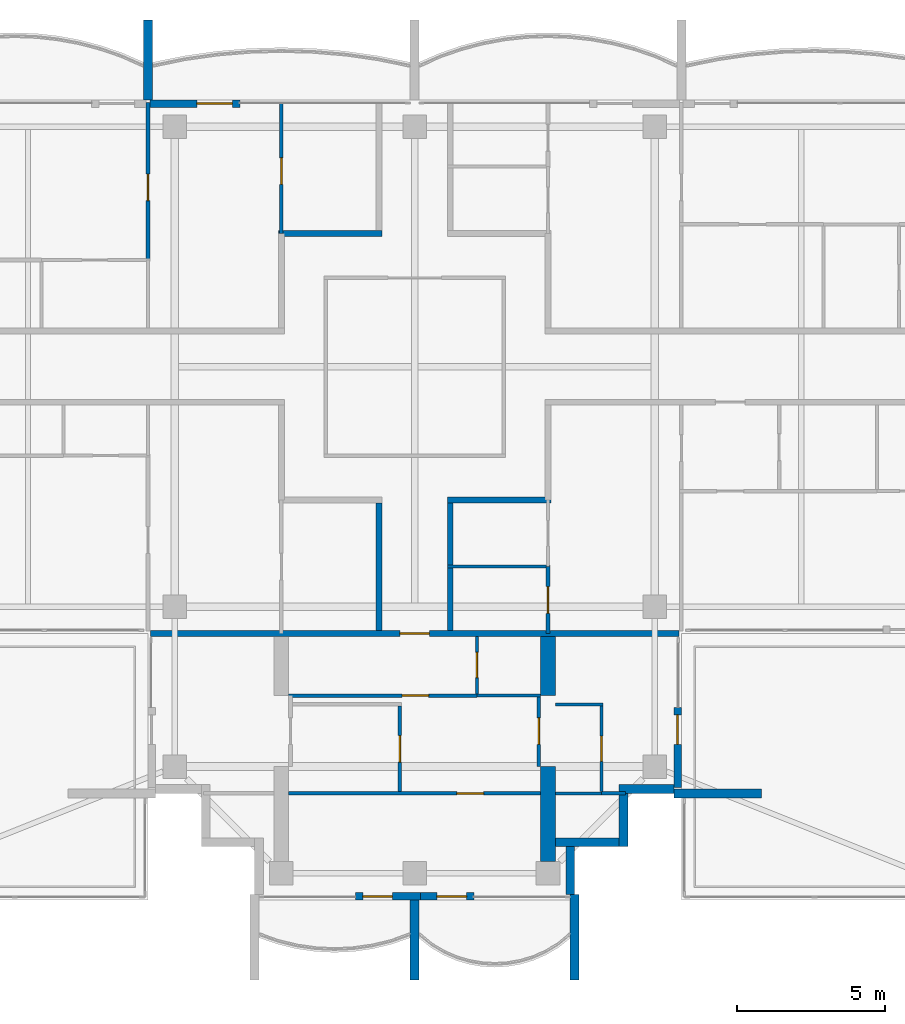
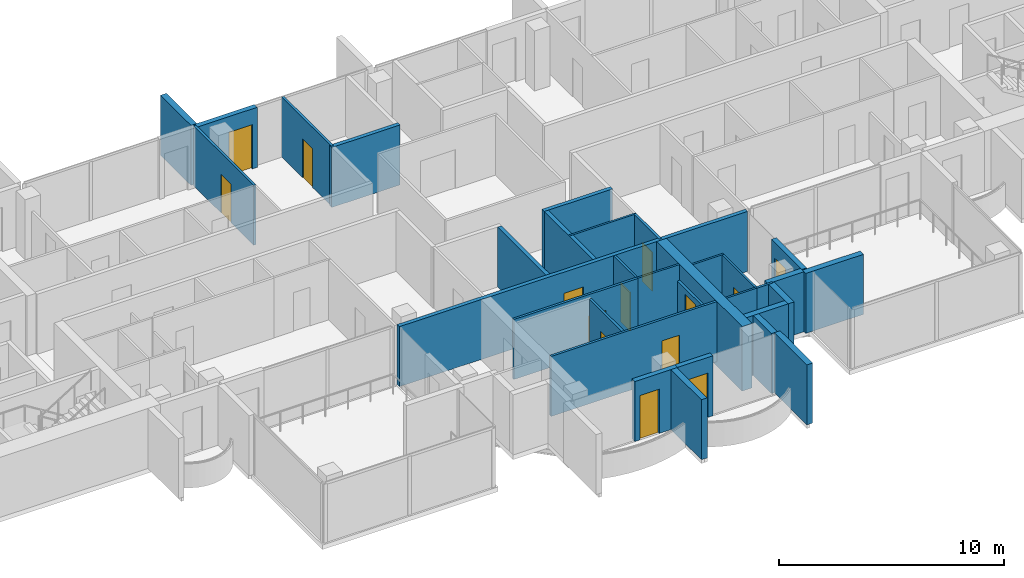
# One storey, part 9 of 16: 32 walls, 14 doors, 14 openings.
"""IFC4 building model written with IfcOpenShell, lengths in metres."""

from ifc_helpers import new_model, si_unit, direction, frame, frame_2d, origin, place, context, subcontext, project, spatial, polyline, rectangle, outline, extrude, material, layer, layer_set, material_profile, profile_set, type_object, element, fill, save


model = new_model("IFC4")

# Units and contexts
model_context = context("Model", 3, precision=1e-05, world=origin(), true_north=direction((0.0, 1.0)))
body_context = subcontext(model_context, "Body", "Model", "MODEL_VIEW")
ifc_project = project(units=[si_unit("LENGTHUNIT", "METRE"), si_unit("AREAUNIT", "SQUARE_METRE"), si_unit("VOLUMEUNIT", "CUBIC_METRE"), si_unit("PLANEANGLEUNIT", "RADIAN"), si_unit("MASSUNIT", "GRAM", prefix="KILO")], contexts=[model_context])

# Site, building, storey
site_placement = place(None, origin())
site = spatial("IfcSite", under=ifc_project, at=site_placement, CompositionType="ELEMENT")
building_placement = place(site_placement, origin())
building = spatial("IfcBuilding", under=site, at=building_placement, Name="Perihelion Cross Residences", CompositionType="ELEMENT")
storey_placement = place(building_placement, frame((0.0, 0.0, 264.0)))
storey = spatial("IfcBuildingStorey", under=building, at=storey_placement, Name="L67", CompositionType="ELEMENT", Elevation=264.0)

# Walls
ifc_material_1 = material(Name="Plasterboard partition")
ifc_layer_1 = layer(ifc_material_1, 0.199951171875)
ifc_layer_set_1 = layer_set([ifc_layer_1], Name="Apartment separation wall 200")
wall_type_1 = type_object("IfcWallType", Name="Apartment separation wall 200", PredefinedType="PARTITIONING", material=ifc_layer_set_1)
wall_1_placement = place(storey_placement, frame((4.60009765625, -4.5, 0.0), z_axis=(0.0, 0.0, 1.0), x_axis=(-1.0, 0.0, 0.0)))
element("IfcWall", 1, at=wall_1_placement, inside=storey, type_object=wall_type_1, Name="Partition L67 W011", PredefinedType="PARTITIONING", context=body_context, shape_type="SweptSolid", body=[
    extrude(rectangle(XDim=3.5, YDim=0.199951171875, at=frame_2d((1.75, 0.0))), origin(), (0.0, 0.0, 1.0), 3.25),
])
wall_2_placement = place(storey_placement, frame((1.199951171875, -4.60009765625, 0.0), z_axis=(0.0, 0.0, 1.0), x_axis=(0.0, -1.0, 0.0)))
element("IfcWall", 2, at=wall_2_placement, inside=storey, type_object=wall_type_1, Name="Partition L67 W012", PredefinedType="PARTITIONING", context=body_context, shape_type="SweptSolid", body=[
    extrude(rectangle(XDim=4.2998046875, YDim=0.199951171875, at=frame_2d((2.14990234375, 0.0))), origin(), (0.0, 0.0, 1.0), 3.25),
])
wall_3_placement = place(storey_placement, frame((-4.60009765625, 4.5, 0.0), z_axis=(0.0, 0.0, 1.0), x_axis=(1.0, 0.0, 0.0)))
element("IfcWall", 3, at=wall_3_placement, inside=storey, type_object=wall_type_1, Name="Partition L67 W015", PredefinedType="PARTITIONING", context=body_context, shape_type="SweptSolid", body=[
    extrude(rectangle(XDim=3.5, YDim=0.199951171875, at=frame_2d((1.75, 0.0))), origin(), (0.0, 0.0, 1.0), 3.25),
])
wall_4_placement = place(storey_placement, frame((-1.199951171875, -8.89990234375, 0.0), z_axis=(0.0, 0.0, 1.0), x_axis=(0.0, 1.0, 0.0)))
element("IfcWall", 4, at=wall_4_placement, inside=storey, type_object=wall_type_1, Name="Partition L67 W019", PredefinedType="PARTITIONING", context=body_context, shape_type="SweptSolid", body=[
    extrude(rectangle(XDim=4.2998046875, YDim=0.199951171875, at=frame_2d((2.14990234375, 0.0))), origin(), (0.0, 0.0, 1.0), 3.25),
])

# Wall, opening, door
wall_5_placement = place(storey_placement, frame((8.919921875, -9.0, 0.0), z_axis=(0.0, 0.0, 1.0), x_axis=(-1.0, 0.0, 0.0)))
wall_5 = element("IfcWall", 5, at=wall_5_placement, inside=storey, type_object=wall_type_1, Name="Partition L67 W021", PredefinedType="PARTITIONING", context=body_context, shape_type="SweptSolid", body=[
    extrude(rectangle(XDim=17.83984375, YDim=0.199951171875, at=frame_2d((8.919921875, 0.0))), origin(), (0.0, 0.0, 1.0), 3.25),
])
opening_1_placement = place(wall_5_placement, frame((8.419921875, 0.0, 0.0)))
opening_1 = element("IfcOpeningElement", 6, at=opening_1_placement, cuts=wall_5, Name="Opening L67.A34", PredefinedType="OPENING", context=body_context, shape_type="SweptSolid", body=[
    extrude(rectangle(XDim=1.0, YDim=2.10009765625, at=frame_2d((0.5, 1.050048828125))), frame((0.0, 0.10986328125, 0.0), z_axis=(0.0, -1.0, 0.0), x_axis=(1.0, 0.0, 0.0)), (0.0, 0.0, 1.0), 0.219970703125),
])
ifc_material_2 = material(Name="Timber door leaf", Category="wood")
door_type_1 = type_object("IfcDoorType", Name="Flat entrance door 1000 x 2100", OperationType="SINGLE_SWING_LEFT", PredefinedType="DOOR", material=ifc_material_2)
door_1_placement = place(opening_1_placement, origin())
door_1 = element("IfcDoor", 7, at=door_1_placement, inside=storey, type_object=door_type_1, Name="Door L67.A34", OperationType="SINGLE_SWING_RIGHT", OverallHeight=2.10009765625, OverallWidth=1.0, PredefinedType="DOOR", context=body_context, shape_type="SweptSolid", body=[
    extrude(rectangle(XDim=1.0, YDim=2.10009765625, at=frame_2d((0.5, 1.050048828125))), frame((0.0, 0.02490234375, 0.0), z_axis=(0.0, -1.0, 0.0), x_axis=(1.0, 0.0, 0.0)), (0.0, 0.0, 1.0), 0.050048828125),
])
fill(opening_1, door_1)

ifc_material_3 = material(Name="Concrete C30/37, bronze-clad", Category="concrete")
ifc_layer_2 = layer(ifc_material_3, 0.25)
ifc_layer_set_2 = layer_set([ifc_layer_2], Name="Bronze-clad pier wall 250")
wall_type_2 = type_object("IfcWallType", Name="Bronze-clad pier wall 250", PredefinedType="SOLIDWALL", material=ifc_layer_set_2)
wall_6_placement = place(storey_placement, frame((-5.89990234375, 8.875, 0.0), z_axis=(0.0, 0.0, 1.0), x_axis=(-1.0, 0.0, 0.0)))
wall_6 = element("IfcWall", 8, at=wall_6_placement, inside=storey, type_object=wall_type_2, Name="Wall FW1 L67 north side east bay 2 pier", PredefinedType="SOLIDWALL", context=body_context, shape_type="SweptSolid", body=[
    extrude(rectangle(XDim=3.0400390625, YDim=0.25, at=frame_2d((1.52001953125, 0.0))), origin(), (0.0, 0.0, 1.0), 3.25),
])
opening_2_placement = place(wall_6_placement, frame((0.25, 0.0, 0.0)))
opening_2 = element("IfcOpeningElement", 9, at=opening_2_placement, cuts=wall_6, Name="Opening L67.E04", PredefinedType="OPENING", context=body_context, shape_type="SweptSolid", body=[
    extrude(rectangle(XDim=1.199951171875, YDim=2.39990234375, at=frame_2d((0.60009765625, 1.199951171875))), frame((0.0, 0.135009765625, 0.0), z_axis=(0.0, -1.0, 0.0), x_axis=(1.0, 0.0, 0.0)), (0.0, 0.0, 1.0), 0.27001953125),
])
ifc_material_4 = material(Name="Bronze anodised aluminium, glazed", Category="aluminium")
door_type_2 = type_object("IfcDoorType", Name="Balcony door 1200 x 2400", OperationType="NOTDEFINED", PredefinedType="DOOR", material=ifc_material_4)
door_2_placement = place(opening_2_placement, origin())
door_2 = element("IfcDoor", 10, at=door_2_placement, inside=storey, type_object=door_type_2, Name="Door L67.E04 north side east bay 2", OperationType="SINGLE_SWING_RIGHT", OverallHeight=2.39990234375, OverallWidth=1.199951171875, PredefinedType="DOOR", context=body_context, shape_type="SweptSolid", body=[
    extrude(rectangle(XDim=1.199951171875, YDim=2.39990234375, at=frame_2d((0.60009765625, 1.199951171875))), frame((0.0, 0.02490234375, 0.0), z_axis=(0.0, -1.0, 0.0), x_axis=(1.0, 0.0, 0.0)), (0.0, 0.0, 1.0), 0.050048828125),
])
fill(opening_2, door_2)

wall_7_placement = place(storey_placement, frame((-2.0, -17.875, 0.0), z_axis=(0.0, 0.0, 1.0), x_axis=(1.0, 0.0, 0.0)))
wall_7 = element("IfcWall", 11, at=wall_7_placement, inside=storey, type_object=wall_type_2, Name="Wall FW1 L67 south tip south bay 1 pier", PredefinedType="SOLIDWALL", context=body_context, shape_type="SweptSolid", body=[
    extrude(rectangle(XDim=2.199951171875, YDim=0.25, at=frame_2d((1.10009765625, 0.0))), origin(), (0.0, 0.0, 1.0), 3.25),
])
opening_3_placement = place(wall_7_placement, frame((0.25, 0.0, 0.0)))
opening_3 = element("IfcOpeningElement", 12, at=opening_3_placement, cuts=wall_7, Name="Opening L67.E10", PredefinedType="OPENING", context=body_context, shape_type="SweptSolid", body=[
    extrude(rectangle(XDim=1.0, YDim=2.39990234375, at=frame_2d((0.5, 1.199951171875))), frame((0.0, 0.135009765625, 0.0), z_axis=(0.0, -1.0, 0.0), x_axis=(1.0, 0.0, 0.0)), (0.0, 0.0, 1.0), 0.27001953125),
])
ifc_material_5 = material(Name="Bronze anodised aluminium, glazed", Category="aluminium")
door_type_3 = type_object("IfcDoorType", Name="Balcony door 1000 x 2400", OperationType="NOTDEFINED", PredefinedType="DOOR", material=ifc_material_5)
door_3_placement = place(opening_3_placement, origin())
door_3 = element("IfcDoor", 13, at=door_3_placement, inside=storey, type_object=door_type_3, Name="Door L67.E10 south tip south bay 1", OperationType="SINGLE_SWING_RIGHT", OverallHeight=2.39990234375, OverallWidth=1.0, PredefinedType="DOOR", context=body_context, shape_type="SweptSolid", body=[
    extrude(rectangle(XDim=1.0, YDim=2.39990234375, at=frame_2d((0.5, 1.199951171875))), frame((0.0, 0.02490234375, 0.0), z_axis=(0.0, -1.0, 0.0), x_axis=(1.0, 0.0, 0.0)), (0.0, 0.0, 1.0), 0.050048828125),
])
fill(opening_3, door_3)

wall_8_placement = place(storey_placement, frame((0.199951171875, -17.875, 0.0), z_axis=(0.0, 0.0, 1.0), x_axis=(1.0, 0.0, 0.0)))
wall_8 = element("IfcWall", 14, at=wall_8_placement, inside=storey, type_object=wall_type_2, Name="Wall FW1 L67 south tip south bay 2 pier", PredefinedType="SOLIDWALL", context=body_context, shape_type="SweptSolid", body=[
    extrude(rectangle(XDim=1.800048828125, YDim=0.25, at=frame_2d((0.89990234375, 0.0))), origin(), (0.0, 0.0, 1.0), 3.25),
])
opening_4_placement = place(wall_8_placement, frame((0.550048828125, 0.0, 0.0)))
opening_4 = element("IfcOpeningElement", 15, at=opening_4_placement, cuts=wall_8, Name="Opening L67.E11", PredefinedType="OPENING", context=body_context, shape_type="SweptSolid", body=[
    extrude(rectangle(XDim=1.0, YDim=2.39990234375, at=frame_2d((0.5, 1.199951171875))), frame((0.0, 0.135009765625, 0.0), z_axis=(0.0, -1.0, 0.0), x_axis=(1.0, 0.0, 0.0)), (0.0, 0.0, 1.0), 0.27001953125),
])
door_4_placement = place(opening_4_placement, origin())
door_4 = element("IfcDoor", 16, at=door_4_placement, inside=storey, type_object=door_type_3, Name="Door L67.E11 south tip south bay 2", OperationType="SINGLE_SWING_LEFT", OverallHeight=2.39990234375, OverallWidth=1.0, PredefinedType="DOOR", context=body_context, shape_type="SweptSolid", body=[
    extrude(rectangle(XDim=1.0, YDim=2.39990234375, at=frame_2d((0.5, 1.199951171875))), frame((0.0, 0.02490234375, 0.0), z_axis=(0.0, -1.0, 0.0), x_axis=(1.0, 0.0, 0.0)), (0.0, 0.0, 1.0), 0.050048828125),
])
fill(opening_4, door_4)

wall_9_placement = place(storey_placement, frame((8.875, -14.199951171875, 0.0), z_axis=(0.0, 0.0, 1.0), x_axis=(0.0, 1.0, 0.0)))
wall_9 = element("IfcWall", 17, at=wall_9_placement, inside=storey, type_object=wall_type_2, Name="Wall FW1 L67 south side east bay 1 pier", PredefinedType="SOLIDWALL", context=body_context, shape_type="SweptSolid", body=[
    extrude(rectangle(XDim=2.699951171875, YDim=0.25, at=frame_2d((1.35009765625, 0.0))), origin(), (0.0, 0.0, 1.0), 3.25),
])
opening_5_placement = place(wall_9_placement, frame((1.449951171875, 0.0, 0.0)))
opening_5 = element("IfcOpeningElement", 18, at=opening_5_placement, cuts=wall_9, Name="Opening L67.E12", PredefinedType="OPENING", context=body_context, shape_type="SweptSolid", body=[
    extrude(rectangle(XDim=1.0, YDim=2.39990234375, at=frame_2d((0.5, 1.199951171875))), frame((0.0, 0.135009765625, 0.0), z_axis=(0.0, -1.0, 0.0), x_axis=(1.0, 0.0, 0.0)), (0.0, 0.0, 1.0), 0.27001953125),
])
door_5_placement = place(opening_5_placement, origin())
door_5 = element("IfcDoor", 19, at=door_5_placement, inside=storey, type_object=door_type_3, Name="Door L67.E12 south side east bay 1", OperationType="SINGLE_SWING_RIGHT", OverallHeight=2.39990234375, OverallWidth=1.0, PredefinedType="DOOR", context=body_context, shape_type="SweptSolid", body=[
    extrude(rectangle(XDim=1.0, YDim=2.39990234375, at=frame_2d((0.5, 1.199951171875))), frame((0.0, 0.02490234375, 0.0), z_axis=(0.0, -1.0, 0.0), x_axis=(1.0, 0.0, 0.0)), (0.0, 0.0, 1.0), 0.050048828125),
])
fill(opening_5, door_5)

# Walls
ifc_material_6 = material(Name="Concrete C30/37, bronze-clad", Category="concrete")
ifc_layer_3 = layer(ifc_material_6, 0.300048828125)
ifc_layer_set_3 = layer_set([ifc_layer_3], Name="Bronze-clad serration wall 300")
wall_type_3 = type_object("IfcWallType", Name="Bronze-clad serration wall 300", PredefinedType="SOLIDWALL", material=ifc_layer_set_3)
wall_10_placement = place(storey_placement, frame((5.25, -17.820068359375, 0.0), z_axis=(0.0, 0.0, 1.0), x_axis=(0.0, 1.0, 0.0)))
element("IfcWall", 20, at=wall_10_placement, inside=storey, type_object=wall_type_3, Name="Wall SR1 L67 south corner south-east 1", PredefinedType="SOLIDWALL", context=body_context, shape_type="SweptSolid", body=[
    extrude(rectangle(XDim=1.6201171875, YDim=0.300048828125, at=frame_2d((0.81005859375, 0.0))), origin(), (0.0, 0.0, 1.0), 3.25),
])
wall_11_placement = place(storey_placement, frame((4.75, -16.050048828125, 0.0), z_axis=(0.0, 0.0, 1.0), x_axis=(1.0, 0.0, 0.0)))
element("IfcWall", 21, at=wall_11_placement, inside=storey, type_object=wall_type_3, Name="Wall SR1 L67 south corner south-east 2", PredefinedType="SOLIDWALL", context=body_context, shape_type="SweptSolid", body=[
    extrude(rectangle(XDim=2.14990234375, YDim=0.300048828125, at=frame_2d((1.074951171875, 0.0))), origin(), (0.0, 0.0, 1.0), 3.25),
])
wall_12_placement = place(storey_placement, frame((7.050048828125, -16.199951171875, 0.0), z_axis=(0.0, 0.0, 1.0), x_axis=(0.0, 1.0, 0.0)))
element("IfcWall", 22, at=wall_12_placement, inside=storey, type_object=wall_type_3, Name="Wall SR1 L67 south corner south-east 3", PredefinedType="SOLIDWALL", context=body_context, shape_type="SweptSolid", body=[
    extrude(rectangle(XDim=1.800048828125, YDim=0.300048828125, at=frame_2d((0.89990234375, 0.0))), origin(), (0.0, 0.0, 1.0), 3.25),
])
wall_13_placement = place(storey_placement, frame((6.89990234375, -14.25, 0.0), z_axis=(0.0, 0.0, 1.0), x_axis=(1.0, 0.0, 0.0)))
element("IfcWall", 23, at=wall_13_placement, inside=storey, type_object=wall_type_3, Name="Wall SR1 L67 south corner south-east 4", PredefinedType="SOLIDWALL", context=body_context, shape_type="SweptSolid", body=[
    extrude(rectangle(XDim=1.85009765625, YDim=0.300048828125, at=frame_2d((0.925048828125, 0.0))), origin(), (0.0, 0.0, 1.0), 3.25),
])

# Wall, opening, door
ifc_material_7 = material(Name="Plasterboard partition")
ifc_layer_4 = layer(ifc_material_7, 0.1201171875)
ifc_layer_set_4 = layer_set([ifc_layer_4], Name="Infill panel 120")
wall_type_4 = type_object("IfcWallType", Name="Infill panel 120", PredefinedType="PARTITIONING", material=ifc_layer_set_4)
wall_14_placement = place(storey_placement, frame((4.18994140625, -11.10009765625, 0.0), z_axis=(0.0, 0.0, 1.0), x_axis=(0.0, -1.0, 0.0)))
wall_14 = element("IfcWall", 24, at=wall_14_placement, inside=storey, type_object=wall_type_4, Name="Partition L67 WI01", PredefinedType="PARTITIONING", context=body_context, shape_type="SweptSolid", body=[
    extrude(rectangle(XDim=2.39990234375, YDim=0.1201171875, at=frame_2d((1.199951171875, 0.0))), origin(), (0.0, 0.0, 1.0), 2.39990234375),
])
opening_6_placement = place(wall_14_placement, frame((0.75, 0.0, 0.0)))
opening_6 = element("IfcOpeningElement", 25, at=opening_6_placement, cuts=wall_14, Name="Opening L67.A44", PredefinedType="OPENING", context=body_context, shape_type="SweptSolid", body=[
    extrude(rectangle(XDim=0.89990234375, YDim=2.10009765625, at=frame_2d((0.449951171875, 1.050048828125))), frame((0.0, 0.070068359375, 0.0), z_axis=(0.0, -1.0, 0.0), x_axis=(1.0, 0.0, 0.0)), (0.0, 0.0, 1.0), 0.14013671875),
])
ifc_material_8 = material(Name="Timber door leaf", Category="wood")
door_type_4 = type_object("IfcDoorType", Name="Interior room door 900 x 2100", OperationType="SINGLE_SWING_LEFT", PredefinedType="DOOR", material=ifc_material_8)
door_6_placement = place(opening_6_placement, origin())
door_6 = element("IfcDoor", 26, at=door_6_placement, inside=storey, type_object=door_type_4, Name="Door L67.A44", OperationType="SINGLE_SWING_LEFT", OverallHeight=2.10009765625, OverallWidth=0.89990234375, PredefinedType="DOOR", context=body_context, shape_type="SweptSolid", body=[
    extrude(rectangle(XDim=0.89990234375, YDim=2.10009765625, at=frame_2d((0.449951171875, 1.050048828125))), frame((0.0, 0.02490234375, 0.0), z_axis=(0.0, -1.0, 0.0), x_axis=(1.0, 0.0, 0.0)), (0.0, 0.0, 1.0), 0.050048828125),
])
fill(opening_6, door_6)

ifc_material_9 = material(Name="Plasterboard partition")
ifc_layer_5 = layer(ifc_material_9, 0.1201171875)
ifc_layer_set_5 = layer_set([ifc_layer_5], Name="Partition wall 120")
wall_type_5 = type_object("IfcWallType", Name="Partition wall 120", PredefinedType="PARTITIONING", material=ifc_layer_set_5)
wall_15_placement = place(storey_placement, frame((4.5, -9.0, 0.0), z_axis=(0.0, 0.0, 1.0), x_axis=(0.0, 1.0, 0.0)))
wall_15 = element("IfcWall", 27, at=wall_15_placement, inside=storey, type_object=wall_type_5, Name="Partition L67 W042", PredefinedType="PARTITIONING", context=body_context, shape_type="SweptSolid", body=[
    extrude(rectangle(XDim=2.25, YDim=0.1201171875, at=frame_2d((1.125, 0.0))), origin(), (0.0, 0.0, 1.0), 3.25),
])
opening_7_placement = place(wall_15_placement, frame((0.675048828125, 0.0, 0.0)))
opening_7 = element("IfcOpeningElement", 28, at=opening_7_placement, cuts=wall_15, Name="Opening L67.A14", PredefinedType="OPENING", context=body_context, shape_type="SweptSolid", body=[
    extrude(rectangle(XDim=0.89990234375, YDim=2.10009765625, at=frame_2d((0.449951171875, 1.050048828125))), frame((0.0, 0.070068359375, 0.0), z_axis=(0.0, -1.0, 0.0), x_axis=(1.0, 0.0, 0.0)), (0.0, 0.0, 1.0), 0.14013671875),
])
door_7_placement = place(opening_7_placement, origin())
door_7 = element("IfcDoor", 29, at=door_7_placement, inside=storey, type_object=door_type_4, Name="Door L67.A14", OperationType="SINGLE_SWING_LEFT", OverallHeight=2.10009765625, OverallWidth=0.89990234375, PredefinedType="DOOR", context=body_context, shape_type="SweptSolid", body=[
    extrude(rectangle(XDim=0.89990234375, YDim=2.10009765625, at=frame_2d((0.449951171875, 1.050048828125))), frame((0.0, 0.02490234375, 0.0), z_axis=(0.0, -1.0, 0.0), x_axis=(1.0, 0.0, 0.0)), (0.0, 0.0, 1.0), 0.050048828125),
])
fill(opening_7, door_7)

wall_16_placement = place(storey_placement, frame((-9.0, 8.919921875, 0.0), z_axis=(0.0, 0.0, 1.0), x_axis=(0.0, -1.0, 0.0)))
wall_16 = element("IfcWall", 30, at=wall_16_placement, inside=storey, type_object=wall_type_5, Name="Partition L67 W051", PredefinedType="PARTITIONING", context=body_context, shape_type="SweptSolid", body=[
    extrude(rectangle(XDim=5.31982421875, YDim=0.1201171875, at=frame_2d((2.659912109375, 0.0))), origin(), (0.0, 0.0, 1.0), 3.25),
])
opening_8_placement = place(wall_16_placement, frame((2.419921875, 0.0, 0.0)))
opening_8 = element("IfcOpeningElement", 31, at=opening_8_placement, cuts=wall_16, Name="Opening L67.A24", PredefinedType="OPENING", context=body_context, shape_type="SweptSolid", body=[
    extrude(rectangle(XDim=0.89990234375, YDim=2.10009765625, at=frame_2d((0.449951171875, 1.050048828125))), frame((0.0, 0.070068359375, 0.0), z_axis=(0.0, -1.0, 0.0), x_axis=(1.0, 0.0, 0.0)), (0.0, 0.0, 1.0), 0.14013671875),
])
door_8_placement = place(opening_8_placement, origin())
door_8 = element("IfcDoor", 32, at=door_8_placement, inside=storey, type_object=door_type_4, Name="Door L67.A24", OperationType="SINGLE_SWING_RIGHT", OverallHeight=2.10009765625, OverallWidth=0.89990234375, PredefinedType="DOOR", context=body_context, shape_type="SweptSolid", body=[
    extrude(rectangle(XDim=0.89990234375, YDim=2.10009765625, at=frame_2d((0.449951171875, 1.050048828125))), frame((0.0, 0.02490234375, 0.0), z_axis=(0.0, -1.0, 0.0), x_axis=(1.0, 0.0, 0.0)), (0.0, 0.0, 1.0), 0.050048828125),
])
fill(opening_8, door_8)

wall_17_placement = place(storey_placement, frame((-4.5, 8.919921875, 0.0), z_axis=(0.0, 0.0, 1.0), x_axis=(0.0, -1.0, 0.0)))
wall_17 = element("IfcWall", 33, at=wall_17_placement, inside=storey, type_object=wall_type_5, Name="Partition L67 W052", PredefinedType="PARTITIONING", context=body_context, shape_type="SweptSolid", body=[
    extrude(rectangle(XDim=4.419921875, YDim=0.1201171875, at=frame_2d((2.2099609375, 0.0))), origin(), (0.0, 0.0, 1.0), 3.25),
])
opening_9_placement = place(wall_17_placement, frame((1.8701171875, 0.0, 0.0)))
opening_9 = element("IfcOpeningElement", 34, at=opening_9_placement, cuts=wall_17, Name="Opening L67.A18", PredefinedType="OPENING", context=body_context, shape_type="SweptSolid", body=[
    extrude(rectangle(XDim=0.89990234375, YDim=2.10009765625, at=frame_2d((0.449951171875, 1.050048828125))), frame((0.0, 0.070068359375, 0.0), z_axis=(0.0, -1.0, 0.0), x_axis=(1.0, 0.0, 0.0)), (0.0, 0.0, 1.0), 0.14013671875),
])
door_9_placement = place(opening_9_placement, origin())
door_9 = element("IfcDoor", 35, at=door_9_placement, inside=storey, type_object=door_type_4, Name="Door L67.A18", OperationType="SINGLE_SWING_RIGHT", OverallHeight=2.10009765625, OverallWidth=0.89990234375, PredefinedType="DOOR", context=body_context, shape_type="SweptSolid", body=[
    extrude(rectangle(XDim=0.89990234375, YDim=2.10009765625, at=frame_2d((0.449951171875, 1.050048828125))), frame((0.0, 0.02490234375, 0.0), z_axis=(0.0, -1.0, 0.0), x_axis=(1.0, 0.0, 0.0)), (0.0, 0.0, 1.0), 0.050048828125),
])
fill(opening_9, door_9)

wall_18_placement = place(storey_placement, frame((2.10009765625, -11.10009765625, 0.0), z_axis=(0.0, 0.0, 1.0), x_axis=(-1.0, 0.0, 0.0)))
wall_18 = element("IfcWall", 36, at=wall_18_placement, inside=storey, type_object=wall_type_5, Name="Partition L67 W068", PredefinedType="PARTITIONING", context=body_context, shape_type="SweptSolid", body=[
    extrude(rectangle(XDim=6.35009765625, YDim=0.1201171875, at=frame_2d((3.175048828125, 0.0))), origin(), (0.0, 0.0, 1.0), 3.25),
])
opening_10_placement = place(wall_18_placement, frame((1.625, 0.0, 0.0)))
opening_10 = element("IfcOpeningElement", 37, at=opening_10_placement, cuts=wall_18, Name="Opening L67.A36", PredefinedType="OPENING", context=body_context, shape_type="SweptSolid", body=[
    extrude(rectangle(XDim=0.89990234375, YDim=2.10009765625, at=frame_2d((0.449951171875, 1.050048828125))), frame((0.0, 0.070068359375, 0.0), z_axis=(0.0, -1.0, 0.0), x_axis=(1.0, 0.0, 0.0)), (0.0, 0.0, 1.0), 0.14013671875),
])
door_10_placement = place(opening_10_placement, origin())
door_10 = element("IfcDoor", 38, at=door_10_placement, inside=storey, type_object=door_type_4, Name="Door L67.A36", OperationType="SINGLE_SWING_RIGHT", OverallHeight=2.10009765625, OverallWidth=0.89990234375, PredefinedType="DOOR", context=body_context, shape_type="SweptSolid", body=[
    extrude(rectangle(XDim=0.89990234375, YDim=2.10009765625, at=frame_2d((0.449951171875, 1.050048828125))), frame((0.0, 0.02490234375, 0.0), z_axis=(0.0, -1.0, 0.0), x_axis=(1.0, 0.0, 0.0)), (0.0, 0.0, 1.0), 0.050048828125),
])
fill(opening_10, door_10)

wall_19_placement = place(storey_placement, frame((-0.5, -14.340087890625, 0.0), z_axis=(0.0, 0.0, 1.0), x_axis=(0.0, 1.0, 0.0)))
wall_19 = element("IfcWall", 39, at=wall_19_placement, inside=storey, type_object=wall_type_5, Name="Partition L67 W070", PredefinedType="PARTITIONING", context=body_context, shape_type="SweptSolid", body=[
    extrude(rectangle(XDim=2.880126953125, YDim=0.1201171875, at=frame_2d((1.43994140625, 0.0))), origin(), (0.0, 0.0, 1.0), 3.25),
])
opening_11_placement = place(wall_19_placement, frame((0.989990234375, 0.0, 0.0)))
opening_11 = element("IfcOpeningElement", 40, at=opening_11_placement, cuts=wall_19, Name="Opening L67.A37", PredefinedType="OPENING", context=body_context, shape_type="SweptSolid", body=[
    extrude(rectangle(XDim=0.89990234375, YDim=2.10009765625, at=frame_2d((0.449951171875, 1.050048828125))), frame((0.0, 0.070068359375, 0.0), z_axis=(0.0, -1.0, 0.0), x_axis=(1.0, 0.0, 0.0)), (0.0, 0.0, 1.0), 0.14013671875),
])
door_11_placement = place(opening_11_placement, origin())
door_11 = element("IfcDoor", 41, at=door_11_placement, inside=storey, type_object=door_type_4, Name="Door L67.A37", OperationType="SINGLE_SWING_RIGHT", OverallHeight=2.10009765625, OverallWidth=0.89990234375, PredefinedType="DOOR", context=body_context, shape_type="SweptSolid", body=[
    extrude(rectangle(XDim=0.89990234375, YDim=2.10009765625, at=frame_2d((0.449951171875, 1.050048828125))), frame((0.0, 0.02490234375, 0.0), z_axis=(0.0, -1.0, 0.0), x_axis=(1.0, 0.0, 0.0)), (0.0, 0.0, 1.0), 0.050048828125),
])
fill(opening_11, door_11)

wall_20_placement = place(storey_placement, frame((4.25, -14.39990234375, 0.0), z_axis=(0.0, 0.0, 1.0), x_axis=(-1.0, 0.0, 0.0)))
wall_20 = element("IfcWall", 42, at=wall_20_placement, inside=storey, type_object=wall_type_5, Name="Partition L67 W072", PredefinedType="PARTITIONING", context=body_context, shape_type="SweptSolid", body=[
    extrude(rectangle(XDim=8.5, YDim=0.1201171875, at=frame_2d((4.25, 0.0))), origin(), (0.0, 0.0, 1.0), 3.25),
])
opening_12_placement = place(wall_20_placement, frame((1.925048828125, 0.0, 0.0)))
opening_12 = element("IfcOpeningElement", 43, at=opening_12_placement, cuts=wall_20, Name="Opening L67.A38", PredefinedType="OPENING", context=body_context, shape_type="SweptSolid", body=[
    extrude(rectangle(XDim=0.89990234375, YDim=2.10009765625, at=frame_2d((0.449951171875, 1.050048828125))), frame((0.0, 0.070068359375, 0.0), z_axis=(0.0, -1.0, 0.0), x_axis=(1.0, 0.0, 0.0)), (0.0, 0.0, 1.0), 0.14013671875),
])
door_12_placement = place(opening_12_placement, origin())
door_12 = element("IfcDoor", 44, at=door_12_placement, inside=storey, type_object=door_type_4, Name="Door L67.A38", OperationType="SINGLE_SWING_RIGHT", OverallHeight=2.10009765625, OverallWidth=0.89990234375, PredefinedType="DOOR", context=body_context, shape_type="SweptSolid", body=[
    extrude(rectangle(XDim=0.89990234375, YDim=2.10009765625, at=frame_2d((0.449951171875, 1.050048828125))), frame((0.0, 0.02490234375, 0.0), z_axis=(0.0, -1.0, 0.0), x_axis=(1.0, 0.0, 0.0)), (0.0, 0.0, 1.0), 0.050048828125),
])
fill(opening_12, door_12)

# Walls
wall_21_placement = place(storey_placement, frame((7.1201171875, -14.39990234375, 0.0), z_axis=(0.0, 0.0, 1.0), x_axis=(-1.0, 0.0, 0.0)))
element("IfcWall", 45, at=wall_21_placement, inside=storey, type_object=wall_type_5, Name="Partition L67 W075", PredefinedType="PARTITIONING", context=body_context, shape_type="SweptSolid", body=[
    extrude(rectangle(XDim=0.820068359375, YDim=0.1201171875, at=frame_2d((0.41015625, 0.0))), origin(), (0.0, 0.0, 1.0), 3.25),
])
ifc_material_10 = material(Name="Precast concrete C50/60", Category="concrete")
ifc_layer_6 = layer(ifc_material_10, 0.300048828125)
ifc_layer_set_6 = layer_set([ifc_layer_6], Name="Precast concrete C50/60 blade wall 300")
wall_type_6 = type_object("IfcWallType", Name="Precast concrete C50/60 blade wall 300", PredefinedType="SOLIDWALL", material=ifc_layer_set_6)
for number, where, z_axis, x_axis, name in (
    (46, (-9.0, 9.0, 0.0), (0.0, 0.0, 1.0), (0.0, 1.0, 0.0), "Wall BL1 L67 no. 7"),
    (47, (0.0, -18.0, 0.0), (0.0, 0.0, 1.0), (0.0, -1.0, 0.0), "Wall BL1 L67 no. 8"),
):
    element("IfcWall", number, at=place(storey_placement, frame(where, z_axis=z_axis, x_axis=x_axis)), inside=storey, type_object=wall_type_6, Name=name, PredefinedType="SOLIDWALL", context=body_context, shape_type="SweptSolid", body=[
        extrude(rectangle(XDim=2.699951171875, YDim=0.300048828125, at=frame_2d((1.35009765625, 0.0))), origin(), (0.0, 0.0, 1.0), 3.25),
    ])
wall_22_placement = place(storey_placement, frame((5.39990234375, -17.820068359375, 0.0), z_axis=(0.0, 0.0, 1.0), x_axis=(0.0, -1.0, 0.0)))
element("IfcWall", 48, at=wall_22_placement, inside=storey, type_object=wall_type_6, Name="Wall BL1 L67 no. 14", PredefinedType="SOLIDWALL", context=body_context, shape_type="SweptSolid", body=[
    extrude(rectangle(XDim=2.8798828125, YDim=0.300048828125, at=frame_2d((1.43994140625, 0.0))), origin(), (0.0, 0.0, 1.0), 3.25),
])
wall_23_placement = place(storey_placement, frame((8.75, -14.39990234375, 0.0), z_axis=(0.0, 0.0, 1.0), x_axis=(1.0, 0.0, 0.0)))
element("IfcWall", 49, at=wall_23_placement, inside=storey, type_object=wall_type_6, Name="Wall BL1 L67 no. 15", PredefinedType="SOLIDWALL", context=body_context, shape_type="SweptSolid", body=[
    extrude(rectangle(XDim=2.949951171875, YDim=0.300048828125, at=frame_2d((1.47509765625, 0.0))), origin(), (0.0, 0.0, 1.0), 3.25),
])
ifc_material_11 = material(Name="Concrete C50/60", Category="concrete")
ifc_material_profile = material_profile(ifc_material_11, outline(polyline([(0.0, 0.0), (3.199951171875, 0.0), (3.199951171875, 2.64990234375), (5.60009765625, 2.64990234375), (5.60009765625, 0.0), (7.699951171875, 0.0), (7.699951171875, 3.5), (0.0, 3.5), (0.0, 0.0)])), Name="Tip spine wall")
ifc_profile_set = profile_set([ifc_material_profile], Name="Concrete C50/60")
wall_type_7 = type_object("IfcWallType", Name="Tip spine wall 500 with 1 door openings 7700 long 3500 high concrete C50/60", PredefinedType="SHEAR", material=ifc_profile_set)
wall_24_placement = place(storey_placement, frame((4.25, -16.699951171875, -0.25), z_axis=(1.0, 0.0, 0.0), x_axis=(0.0, 1.0, 0.0)))
element("IfcWall", 50, at=wall_24_placement, inside=storey, type_object=wall_type_7, Name="Shear wall SW45 L67 south east", PredefinedType="SHEAR", context=body_context, shape_type="SweptSolid", body=[
    extrude(outline(polyline([(0.0, 0.0), (3.199951171875, 0.0), (3.199951171875, 2.64990234375), (5.60009765625, 2.64990234375), (5.60009765625, 0.0), (7.699951171875, 0.0), (7.699951171875, 3.5), (0.0, 3.5), (0.0, 0.0)])), origin(), (0.0, 0.0, 1.0), 0.5),
])
ifc_material_12 = material(Name="Plasterboard partition")
ifc_layer_7 = layer(ifc_material_12, 0.10009765625)
ifc_layer_set_7 = layer_set([ifc_layer_7], Name="Wet room wall 100")
wall_type_8 = type_object("IfcWallType", Name="Wet room wall 100", PredefinedType="PARTITIONING", material=ifc_layer_set_7)
wall_25_placement = place(storey_placement, frame((4.56005859375, -6.75, 0.0), z_axis=(0.0, 0.0, 1.0), x_axis=(-1.0, 0.0, 0.0)))
element("IfcWall", 51, at=wall_25_placement, inside=storey, type_object=wall_type_8, Name="Partition L67 W043", PredefinedType="PARTITIONING", context=body_context, shape_type="SweptSolid", body=[
    extrude(rectangle(XDim=3.4599609375, YDim=0.10009765625, at=frame_2d((1.72998046875, 0.0))), origin(), (0.0, 0.0, 1.0), 3.25),
])

# Wall, opening, door
wall_26_placement = place(storey_placement, frame((2.10009765625, -9.10009765625, 0.0), z_axis=(0.0, 0.0, 1.0), x_axis=(0.0, -1.0, 0.0)))
wall_26 = element("IfcWall", 52, at=wall_26_placement, inside=storey, type_object=wall_type_8, Name="Partition L67 W067", PredefinedType="PARTITIONING", context=body_context, shape_type="SweptSolid", body=[
    extrude(rectangle(XDim=1.93994140625, YDim=0.10009765625, at=frame_2d((0.969970703125, 0.0))), origin(), (0.0, 0.0, 1.0), 3.25),
])
opening_13_placement = place(wall_26_placement, frame((0.544921875, 0.0, 0.0)))
opening_13 = element("IfcOpeningElement", 53, at=opening_13_placement, cuts=wall_26, Name="Opening L67.A35", PredefinedType="OPENING", context=body_context, shape_type="SweptSolid", body=[
    extrude(rectangle(XDim=0.85009765625, YDim=2.10009765625, at=frame_2d((0.425048828125, 1.050048828125))), frame((0.0, 0.06005859375, 0.0), z_axis=(0.0, -1.0, 0.0), x_axis=(1.0, 0.0, 0.0)), (0.0, 0.0, 1.0), 0.1201171875),
])
ifc_material_13 = material(Name="Timber door leaf", Category="wood")
door_type_5 = type_object("IfcDoorType", Name="Interior bathroom door 850 x 2100", OperationType="SINGLE_SWING_LEFT", PredefinedType="DOOR", material=ifc_material_13)
door_13_placement = place(opening_13_placement, origin())
door_13 = element("IfcDoor", 54, at=door_13_placement, inside=storey, type_object=door_type_5, Name="Door L67.A35", OperationType="SINGLE_SWING_LEFT", OverallHeight=2.10009765625, OverallWidth=0.85009765625, PredefinedType="DOOR", context=body_context, shape_type="SweptSolid", body=[
    extrude(rectangle(XDim=0.85009765625, YDim=2.10009765625, at=frame_2d((0.425048828125, 1.050048828125))), frame((0.0, 0.02490234375, 0.0), z_axis=(0.0, -1.0, 0.0), x_axis=(1.0, 0.0, 0.0)), (0.0, 0.0, 1.0), 0.050048828125),
])
fill(opening_13, door_13)

# Wall
wall_27_placement = place(storey_placement, frame((4.25, -11.10009765625, 0.0), z_axis=(0.0, 0.0, 1.0), x_axis=(-1.0, 0.0, 0.0)))
element("IfcWall", 55, at=wall_27_placement, inside=storey, type_object=wall_type_8, Name="Partition L67 W069", PredefinedType="PARTITIONING", context=body_context, shape_type="SweptSolid", body=[
    extrude(rectangle(XDim=2.14990234375, YDim=0.10009765625, at=frame_2d((1.074951171875, 0.0))), origin(), (0.0, 0.0, 1.0), 3.25),
])

# Wall, opening, door
wall_28_placement = place(storey_placement, frame((6.300048828125, -14.340087890625, 0.0), z_axis=(0.0, 0.0, 1.0), x_axis=(0.0, 1.0, 0.0)))
wall_28 = element("IfcWall", 56, at=wall_28_placement, inside=storey, type_object=wall_type_8, Name="Partition L67 W073", PredefinedType="PARTITIONING", context=body_context, shape_type="SweptSolid", body=[
    extrude(rectangle(XDim=2.89013671875, YDim=0.10009765625, at=frame_2d((1.445068359375, 0.0))), origin(), (0.0, 0.0, 1.0), 3.25),
])
opening_14_placement = place(wall_28_placement, frame((1.02001953125, 0.0, 0.0)))
opening_14 = element("IfcOpeningElement", 57, at=opening_14_placement, cuts=wall_28, Name="Opening L67.A39", PredefinedType="OPENING", context=body_context, shape_type="SweptSolid", body=[
    extrude(rectangle(XDim=0.85009765625, YDim=2.10009765625, at=frame_2d((0.425048828125, 1.050048828125))), frame((0.0, 0.06005859375, 0.0), z_axis=(0.0, -1.0, 0.0), x_axis=(1.0, 0.0, 0.0)), (0.0, 0.0, 1.0), 0.1201171875),
])
door_14_placement = place(opening_14_placement, origin())
door_14 = element("IfcDoor", 58, at=door_14_placement, inside=storey, type_object=door_type_5, Name="Door L67.A39", OperationType="SINGLE_SWING_LEFT", OverallHeight=2.10009765625, OverallWidth=0.85009765625, PredefinedType="DOOR", context=body_context, shape_type="SweptSolid", body=[
    extrude(rectangle(XDim=0.85009765625, YDim=2.10009765625, at=frame_2d((0.425048828125, 1.050048828125))), frame((0.0, 0.02490234375, 0.0), z_axis=(0.0, -1.0, 0.0), x_axis=(1.0, 0.0, 0.0)), (0.0, 0.0, 1.0), 0.050048828125),
])
fill(opening_14, door_14)

# Walls
wall_29_placement = place(storey_placement, frame((6.35009765625, -11.39990234375, 0.0), z_axis=(0.0, 0.0, 1.0), x_axis=(-1.0, 0.0, 0.0)))
element("IfcWall", 59, at=wall_29_placement, inside=storey, type_object=wall_type_8, Name="Partition L67 W074", PredefinedType="PARTITIONING", context=body_context, shape_type="SweptSolid", body=[
    extrude(rectangle(XDim=1.60009765625, YDim=0.10009765625, at=frame_2d((0.800048828125, 0.0))), origin(), (0.0, 0.0, 1.0), 3.25),
])
wall_30_placement = place(storey_placement, frame((6.300048828125, -14.39990234375, 0.0), z_axis=(0.0, 0.0, 1.0), x_axis=(-1.0, 0.0, 0.0)))
element("IfcWall", 60, at=wall_30_placement, inside=storey, type_object=wall_type_8, Name="Partition L67 W076", PredefinedType="PARTITIONING", context=body_context, shape_type="SweptSolid", body=[
    extrude(rectangle(XDim=1.550048828125, YDim=0.10009765625, at=frame_2d((0.77490234375, 0.0))), origin(), (0.0, 0.0, 1.0), 3.25),
])

save(model, "model.ifc")
